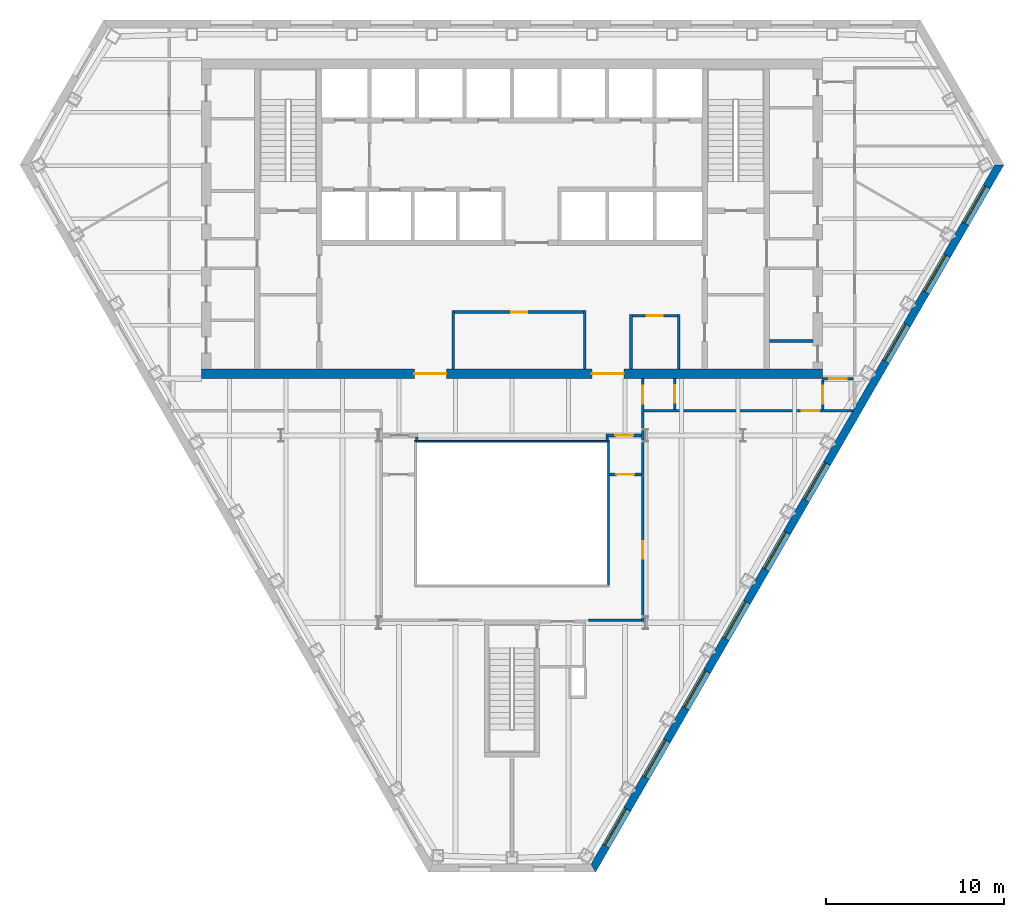
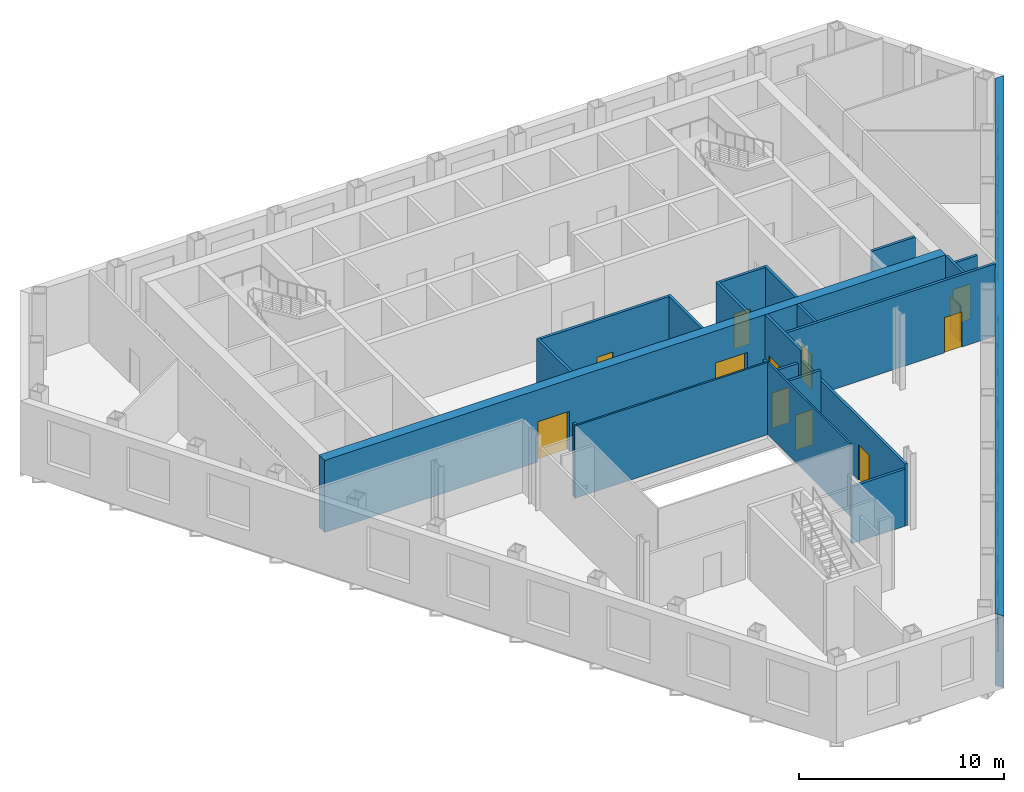
# One storey, part 5 of 11: 22 walls, 12 doors, 9 windows, 21 openings.
"""IFC4 building model written with IfcOpenShell, lengths in metres."""

from ifc_helpers import new_model, si_unit, direction, frame, frame_2d, origin, place, context, subcontext, project, spatial, polyline, rectangle, outline, extrude, material, layer, layer_set, type_object, element, fill, save


model = new_model("IFC4")

# Units and contexts
model_context = context("Model", 3, precision=1e-05, world=origin(), true_north=direction((0.0, 1.0)))
body_context = subcontext(model_context, "Body", "Model", "MODEL_VIEW")
ifc_project = project(units=[si_unit("LENGTHUNIT", "METRE"), si_unit("AREAUNIT", "SQUARE_METRE"), si_unit("VOLUMEUNIT", "CUBIC_METRE"), si_unit("PLANEANGLEUNIT", "RADIAN"), si_unit("MASSUNIT", "GRAM", prefix="KILO")], contexts=[model_context])

# Site, building, storey
site_placement = place(None, origin())
site = spatial("IfcSite", under=ifc_project, at=site_placement, CompositionType="ELEMENT")
building_placement = place(site_placement, origin())
building = spatial("IfcBuilding", under=site, at=building_placement, Name="Njiva Tower", CompositionType="ELEMENT")
storey_placement = place(building_placement, frame((0.0, 0.0, 124.8)))
storey = spatial("IfcBuildingStorey", under=building, at=storey_placement, Name="L26", CompositionType="ELEMENT", Elevation=124.8)

# Walls
ifc_material_1 = material(Name="Blockwork", Category="masonry")
ifc_layer_1 = layer(ifc_material_1, 0.15)
ifc_layer_set_1 = layer_set([ifc_layer_1], Name="Blockwork")
wall_type_1 = type_object("IfcWallType", Name="WT1 Compartment partition 150", PredefinedType="PARTITIONING", material=ifc_layer_set_1)
wall_1_placement = place(storey_placement, frame((14.5, 2.125, 0.0), z_axis=(0.0, 0.0, 1.0), x_axis=(1.0, 0.0, 0.0)))
element("IfcWall", 1, at=wall_1_placement, inside=storey, type_object=wall_type_1, Name="Partition strip E00", PredefinedType="PARTITIONING", context=body_context, shape_type="SweptSolid", body=[
    extrude(rectangle(XDim=2.45, YDim=0.15, at=frame_2d((1.225, 0.0))), origin(), (0.0, 0.0, 1.0), 4.3),
])
for number, where, z_axis, x_axis, name in (
    (2, (-3.3, 0.55, 0.0), (0.0, 0.0, 1.0), (0.0, 1.0, 0.0), "Information office wall west"),
    (3, (4.1, 0.55, 0.0), (0.0, 0.0, 1.0), (0.0, 1.0, 0.0), "Information office wall east"),
):
    element("IfcWall", number, at=place(storey_placement, frame(where, z_axis=z_axis, x_axis=x_axis)), inside=storey, type_object=wall_type_1, Name=name, PredefinedType="PARTITIONING", context=body_context, shape_type="SweptSolid", body=[
        extrude(rectangle(XDim=3.275, YDim=0.15, at=frame_2d((1.6375, 0.0))), origin(), (0.0, 0.0, 1.0), 4.3),
    ])

# Wall, opening, door
wall_2_placement = place(storey_placement, frame((-3.225, 3.75, 0.0), z_axis=(0.0, 0.0, 1.0), x_axis=(1.0, 0.0, 0.0)))
wall_2 = element("IfcWall", 4, at=wall_2_placement, inside=storey, type_object=wall_type_1, Name="Information office wall north", PredefinedType="PARTITIONING", context=body_context, shape_type="SweptSolid", body=[
    extrude(rectangle(XDim=7.25, YDim=0.15, at=frame_2d((3.625, 0.0))), origin(), (0.0, 0.0, 1.0), 4.3),
])
opening_1_placement = place(wall_2_placement, frame((3.175, 0.0, 0.0)))
opening_1 = element("IfcOpeningElement", 5, at=opening_1_placement, cuts=wall_2, Name="Opening S09-D934", PredefinedType="OPENING", context=body_context, shape_type="SweptSolid", body=[
    extrude(rectangle(XDim=0.9, YDim=2.1, at=frame_2d((0.45, 1.05))), frame((0.0, 0.085, 0.0), z_axis=(0.0, -1.0, 0.0), x_axis=(1.0, 0.0, 0.0)), (0.0, 0.0, 1.0), 0.17),
])
ifc_material_2 = material(Name="Steel fire door, painted", Category="steel")
door_type_1 = type_object("IfcDoorType", Name="D6 Fire-rated door 900x2100", OperationType="SINGLE_SWING_LEFT", PredefinedType="DOOR", material=ifc_material_2)
door_1_placement = place(opening_1_placement, origin())
door_1 = element("IfcDoor", 6, at=door_1_placement, inside=storey, type_object=door_type_1, Name="Information office door", OperationType="SINGLE_SWING_LEFT", OverallHeight=2.1, OverallWidth=0.9, PredefinedType="DOOR", context=body_context, shape_type="SweptSolid", body=[
    extrude(rectangle(XDim=0.9, YDim=2.1, at=frame_2d((0.45, 1.05))), frame((0.0, 0.025, 0.0), z_axis=(0.0, -1.0, 0.0), x_axis=(1.0, 0.0, 0.0)), (0.0, 0.0, 1.0), 0.05),
])
fill(opening_1, door_1)

# Walls
for number, where, z_axis, x_axis, name in (
    (7, (6.7, 0.55, 0.0), (0.0, 0.0, 1.0), (0.0, 1.0, 0.0), "Tenant reception wall west"),
    (8, (9.4, 0.55, 0.0), (0.0, 0.0, 1.0), (0.0, 1.0, 0.0), "Tenant reception wall east"),
):
    element("IfcWall", number, at=place(storey_placement, frame(where, z_axis=z_axis, x_axis=x_axis)), inside=storey, type_object=wall_type_1, Name=name, PredefinedType="PARTITIONING", context=body_context, shape_type="SweptSolid", body=[
        extrude(rectangle(XDim=3.075, YDim=0.15, at=frame_2d((1.5375, 0.0))), origin(), (0.0, 0.0, 1.0), 4.3),
    ])

# Wall, opening, door
wall_3_placement = place(storey_placement, frame((6.775, 3.55, 0.0), z_axis=(0.0, 0.0, 1.0), x_axis=(1.0, 0.0, 0.0)))
wall_3 = element("IfcWall", 9, at=wall_3_placement, inside=storey, type_object=wall_type_1, Name="Tenant reception wall north", PredefinedType="PARTITIONING", context=body_context, shape_type="SweptSolid", body=[
    extrude(rectangle(XDim=2.55, YDim=0.15, at=frame_2d((1.275, 0.0))), origin(), (0.0, 0.0, 1.0), 4.3),
])
opening_2_placement = place(wall_3_placement, frame((0.825, 0.0, 0.0)))
opening_2 = element("IfcOpeningElement", 10, at=opening_2_placement, cuts=wall_3, Name="Opening S09-D935", PredefinedType="OPENING", context=body_context, shape_type="SweptSolid", body=[
    extrude(rectangle(XDim=0.9, YDim=2.1, at=frame_2d((0.45, 1.05))), frame((0.0, 0.085, 0.0), z_axis=(0.0, -1.0, 0.0), x_axis=(1.0, 0.0, 0.0)), (0.0, 0.0, 1.0), 0.17),
])
door_2_placement = place(opening_2_placement, origin())
door_2 = element("IfcDoor", 11, at=door_2_placement, inside=storey, type_object=door_type_1, Name="Tenant reception door", OperationType="SINGLE_SWING_RIGHT", OverallHeight=2.1, OverallWidth=0.9, PredefinedType="DOOR", context=body_context, shape_type="SweptSolid", body=[
    extrude(rectangle(XDim=0.9, YDim=2.1, at=frame_2d((0.45, 1.05))), frame((0.0, 0.025, 0.0), z_axis=(0.0, -1.0, 0.0), x_axis=(1.0, 0.0, 0.0)), (0.0, 0.0, 1.0), 0.05),
])
fill(opening_2, door_2)

# Wall, openings, doors
ifc_material_3 = material(Name="Concrete C60/75", Category="concrete")
ifc_layer_2 = layer(ifc_material_3, 0.55)
ifc_layer_set_2 = layer_set([ifc_layer_2], Name="Concrete C60/75")
wall_type_2 = type_object("IfcWallType", Name="WT14 Core wall 550", PredefinedType="SHEAR", material=ifc_layer_set_2)
wall_4_placement = place(storey_placement, frame((-17.5, 0.275, 0.0), z_axis=(0.0, 0.0, 1.0), x_axis=(1.0, 0.0, 0.0)))
wall_4 = element("IfcWall", 12, at=wall_4_placement, inside=storey, type_object=wall_type_2, Name="Core wall south", PredefinedType="SHEAR", context=body_context, shape_type="SweptSolid", body=[
    extrude(rectangle(XDim=35.0, YDim=0.55, at=frame_2d((17.5, 0.0))), origin(), (0.0, 0.0, 1.0), 4.3),
])
opening_3_placement = place(wall_4_placement, frame((12.0, 0.0, 0.0)))
opening_3 = element("IfcOpeningElement", 13, at=opening_3_placement, cuts=wall_4, Name="Opening S09-D937", PredefinedType="OPENING", context=body_context, shape_type="SweptSolid", body=[
    extrude(rectangle(XDim=1.8, YDim=2.4, at=frame_2d((0.9, 1.2))), frame((0.0, 0.285, 0.0), z_axis=(0.0, -1.0, 0.0), x_axis=(1.0, 0.0, 0.0)), (0.0, 0.0, 1.0), 0.57),
])
opening_4_placement = place(wall_4_placement, frame((22.0, 0.0, 0.0)))
opening_4 = element("IfcOpeningElement", 14, at=opening_4_placement, cuts=wall_4, Name="Opening S09-D938", PredefinedType="OPENING", context=body_context, shape_type="SweptSolid", body=[
    extrude(rectangle(XDim=1.8, YDim=2.4, at=frame_2d((0.9, 1.2))), frame((0.0, 0.285, 0.0), z_axis=(0.0, -1.0, 0.0), x_axis=(1.0, 0.0, 0.0)), (0.0, 0.0, 1.0), 0.57),
])
ifc_material_4 = material(Name="Steel and glass door", Category="steel")
door_type_2 = type_object("IfcDoorType", Name="D3 Core entrance door 1800x2400", OperationType="DOUBLE_DOOR_SINGLE_SWING", PredefinedType="DOOR", material=ifc_material_4)
door_3_placement = place(opening_3_placement, origin())
door_3 = element("IfcDoor", 15, at=door_3_placement, inside=storey, type_object=door_type_2, Name="Core entrance door", OperationType="DOUBLE_DOOR_SINGLE_SWING", OverallHeight=2.4, OverallWidth=1.8, PredefinedType="DOOR", context=body_context, shape_type="SweptSolid", body=[
    extrude(rectangle(XDim=1.8, YDim=2.4, at=frame_2d((0.9, 1.2))), frame((0.0, 0.025, 0.0), z_axis=(0.0, -1.0, 0.0), x_axis=(1.0, 0.0, 0.0)), (0.0, 0.0, 1.0), 0.05),
])
fill(opening_3, door_3)
door_4_placement = place(opening_4_placement, origin())
door_4 = element("IfcDoor", 16, at=door_4_placement, inside=storey, type_object=door_type_2, Name="Core entrance door", OperationType="DOUBLE_DOOR_SINGLE_SWING", OverallHeight=2.4, OverallWidth=1.8, PredefinedType="DOOR", context=body_context, shape_type="SweptSolid", body=[
    extrude(rectangle(XDim=1.8, YDim=2.4, at=frame_2d((0.9, 1.2))), frame((0.0, 0.025, 0.0), z_axis=(0.0, -1.0, 0.0), x_axis=(1.0, 0.0, 0.0)), (0.0, 0.0, 1.0), 0.05),
])
fill(opening_4, door_4)

# Walls
ifc_material_5 = material(Name="Gypsum board on steel studs", Category="gypsum")
ifc_layer_3 = layer(ifc_material_5, 0.15)
ifc_layer_set_3 = layer_set([ifc_layer_3], Name="Gypsum board on steel studs")
wall_type_3 = type_object("IfcWallType", Name="WT21 Compartment wall 150", PredefinedType="PARTITIONING", material=ifc_layer_set_3)
wall_5_placement = place(storey_placement, frame((-5.36, -3.48, 0.0), z_axis=(0.0, 0.0, 1.0), x_axis=(0.0, 1.0, 0.0)))
element("IfcWall", 17, at=wall_5_placement, inside=storey, type_object=wall_type_3, Name="Partition S09-P008", PredefinedType="PARTITIONING", context=body_context, shape_type="SweptSolid", body=[
    extrude(rectangle(XDim=0.205, YDim=0.15, at=frame_2d((0.1025, 0.0))), origin(), (0.0, 0.0, 1.0), 4.3),
])
wall_6_placement = place(storey_placement, frame((4.3, -13.6, 0.0), z_axis=(0.0, 0.0, 1.0), x_axis=(1.0, 0.0, 0.0)))
element("IfcWall", 18, at=wall_6_placement, inside=storey, type_object=wall_type_3, Name="Partition S09-P010", PredefinedType="PARTITIONING", context=body_context, shape_type="SweptSolid", body=[
    extrude(rectangle(XDim=2.985, YDim=0.15, at=frame_2d((1.4925, 0.0))), origin(), (0.0, 0.0, 1.0), 3.39),
])

# Wall, opening, door
wall_7_placement = place(storey_placement, frame((5.285, -3.2, 0.0), z_axis=(0.0, 0.0, 1.0), x_axis=(1.0, 0.0, 0.0)))
wall_7 = element("IfcWall", 19, at=wall_7_placement, inside=storey, type_object=wall_type_3, Name="Partition S09-P011", PredefinedType="PARTITIONING", context=body_context, shape_type="SweptSolid", body=[
    extrude(rectangle(XDim=2.0, YDim=0.15, at=frame_2d((1.0, 0.0))), origin(), (0.0, 0.0, 1.0), 3.39),
])
opening_5_placement = place(wall_7_placement, frame((0.538, 0.0, 0.0)))
opening_5 = element("IfcOpeningElement", 20, at=opening_5_placement, cuts=wall_7, Name="Opening S09-D006", PredefinedType="OPENING", context=body_context, shape_type="SweptSolid", body=[
    extrude(rectangle(XDim=1.0, YDim=2.1, at=frame_2d((0.5, 1.05))), frame((0.0, 0.085, 0.0), z_axis=(0.0, -1.0, 0.0), x_axis=(1.0, 0.0, 0.0)), (0.0, 0.0, 1.0), 0.17),
])
ifc_material_6 = material(Name="Steel fire door set", Category="steel")
door_type_3 = type_object("IfcDoorType", Name="D37 Fire door 1000x2100", OperationType="SINGLE_SWING_LEFT", PredefinedType="DOOR", material=ifc_material_6)
door_5_placement = place(opening_5_placement, origin())
door_5 = element("IfcDoor", 21, at=door_5_placement, inside=storey, type_object=door_type_3, Name="Door S09-D006", OperationType="SINGLE_SWING_LEFT", OverallHeight=2.1, OverallWidth=1.0, PredefinedType="DOOR", context=body_context, shape_type="SweptSolid", body=[
    extrude(rectangle(XDim=1.0, YDim=2.1, at=frame_2d((0.5, 1.05))), frame((0.0, 0.025, 0.0), z_axis=(0.0, -1.0, 0.0), x_axis=(1.0, 0.0, 0.0)), (0.0, 0.0, 1.0), 0.05),
])
fill(opening_5, door_5)

# Wall
wall_8_placement = place(storey_placement, frame((5.36, -3.48, 0.0), z_axis=(0.0, 0.0, 1.0), x_axis=(0.0, 1.0, 0.0)))
element("IfcWall", 22, at=wall_8_placement, inside=storey, type_object=wall_type_3, Name="Partition S09-P012", PredefinedType="PARTITIONING", context=body_context, shape_type="SweptSolid", body=[
    extrude(rectangle(XDim=0.205, YDim=0.15, at=frame_2d((0.1025, 0.0))), origin(), (0.0, 0.0, 1.0), 4.3),
])

# Wall, opening, door
wall_9_placement = place(storey_placement, frame((5.48, -5.4, 0.0), z_axis=(0.0, 0.0, 1.0), x_axis=(1.0, 0.0, 0.0)))
wall_9 = element("IfcWall", 23, at=wall_9_placement, inside=storey, type_object=wall_type_3, Name="Partition S09-P013", PredefinedType="PARTITIONING", context=body_context, shape_type="SweptSolid", body=[
    extrude(rectangle(XDim=1.805, YDim=0.15, at=frame_2d((0.9025, 0.0))), origin(), (0.0, 0.0, 1.0), 4.3),
])
opening_6_placement = place(wall_9_placement, frame((0.402, 0.0, 0.0)))
opening_6 = element("IfcOpeningElement", 24, at=opening_6_placement, cuts=wall_9, Name="Opening S09-D007", PredefinedType="OPENING", context=body_context, shape_type="SweptSolid", body=[
    extrude(rectangle(XDim=1.0, YDim=2.1, at=frame_2d((0.5, 1.05))), frame((0.0, 0.085, 0.0), z_axis=(0.0, -1.0, 0.0), x_axis=(1.0, 0.0, 0.0)), (0.0, 0.0, 1.0), 0.17),
])
door_6_placement = place(opening_6_placement, origin())
door_6 = element("IfcDoor", 25, at=door_6_placement, inside=storey, type_object=door_type_3, Name="Door S09-D007", OperationType="SINGLE_SWING_RIGHT", OverallHeight=2.1, OverallWidth=1.0, PredefinedType="DOOR", context=body_context, shape_type="SweptSolid", body=[
    extrude(rectangle(XDim=1.0, YDim=2.1, at=frame_2d((0.5, 1.05))), frame((0.0, 0.025, 0.0), z_axis=(0.0, -1.0, 0.0), x_axis=(1.0, 0.0, 0.0)), (0.0, 0.0, 1.0), 0.05),
])
fill(opening_6, door_6)

wall_10_placement = place(storey_placement, frame((7.36, -13.675, 0.0), z_axis=(0.0, 0.0, 1.0), x_axis=(0.0, 1.0, 0.0)))
wall_10 = element("IfcWall", 26, at=wall_10_placement, inside=storey, type_object=wall_type_3, Name="Partition S09-P014", PredefinedType="PARTITIONING", context=body_context, shape_type="SweptSolid", body=[
    extrude(rectangle(XDim=10.167, YDim=0.15, at=frame_2d((5.0835, 0.0))), origin(), (0.0, 0.0, 1.0), 3.7),
])
opening_7_placement = place(wall_10_placement, frame((3.531, 0.0, 0.0)))
opening_7 = element("IfcOpeningElement", 27, at=opening_7_placement, cuts=wall_10, Name="Opening S09-D008", PredefinedType="OPENING", context=body_context, shape_type="SweptSolid", body=[
    extrude(rectangle(XDim=1.0, YDim=2.1, at=frame_2d((0.5, 1.05))), frame((0.0, 0.085, 0.0), z_axis=(0.0, -1.0, 0.0), x_axis=(1.0, 0.0, 0.0)), (0.0, 0.0, 1.0), 0.17),
])
door_7_placement = place(opening_7_placement, origin())
door_7 = element("IfcDoor", 28, at=door_7_placement, inside=storey, type_object=door_type_3, Name="Door S09-D008", OperationType="SINGLE_SWING_RIGHT", OverallHeight=2.1, OverallWidth=1.0, PredefinedType="DOOR", context=body_context, shape_type="SweptSolid", body=[
    extrude(rectangle(XDim=1.0, YDim=2.1, at=frame_2d((0.5, 1.05))), frame((0.0, 0.025, 0.0), z_axis=(0.0, -1.0, 0.0), x_axis=(1.0, 0.0, 0.0)), (0.0, 0.0, 1.0), 0.05),
])
fill(opening_7, door_7)

wall_11_placement = place(storey_placement, frame((7.36, -3.508, 0.0), z_axis=(0.0, 0.0, 1.0), x_axis=(0.0, 1.0, 0.0)))
wall_11 = element("IfcWall", 29, at=wall_11_placement, inside=storey, type_object=wall_type_3, Name="Partition S09-P014A", PredefinedType="PARTITIONING", context=body_context, shape_type="SweptSolid", body=[
    extrude(rectangle(XDim=3.508, YDim=0.15, at=frame_2d((1.754, 0.0))), origin(), (0.0, 0.0, 1.0), 4.3),
])
opening_8_placement = place(wall_11_placement, frame((2.108, 0.0, 0.0)))
opening_8 = element("IfcOpeningElement", 30, at=opening_8_placement, cuts=wall_11, Name="Opening S09-D009", PredefinedType="OPENING", context=body_context, shape_type="SweptSolid", body=[
    extrude(rectangle(XDim=1.0, YDim=2.1, at=frame_2d((0.5, 1.05))), frame((0.0, 0.085, 0.0), z_axis=(0.0, -1.0, 0.0), x_axis=(1.0, 0.0, 0.0)), (0.0, 0.0, 1.0), 0.17),
])
door_8_placement = place(opening_8_placement, origin())
door_8 = element("IfcDoor", 31, at=door_8_placement, inside=storey, type_object=door_type_3, Name="Door S09-D009", OperationType="SINGLE_SWING_RIGHT", OverallHeight=2.1, OverallWidth=1.0, PredefinedType="DOOR", context=body_context, shape_type="SweptSolid", body=[
    extrude(rectangle(XDim=1.0, YDim=2.1, at=frame_2d((0.5, 1.05))), frame((0.0, 0.025, 0.0), z_axis=(0.0, -1.0, 0.0), x_axis=(1.0, 0.0, 0.0)), (0.0, 0.0, 1.0), 0.05),
])
fill(opening_8, door_8)

wall_12_placement = place(storey_placement, frame((7.435, -1.8, 0.0), z_axis=(0.0, 0.0, 1.0), x_axis=(1.0, 0.0, 0.0)))
wall_12 = element("IfcWall", 32, at=wall_12_placement, inside=storey, type_object=wall_type_3, Name="Partition S09-P015", PredefinedType="PARTITIONING", context=body_context, shape_type="SweptSolid", body=[
    extrude(rectangle(XDim=11.763, YDim=0.15, at=frame_2d((5.8815, 0.0))), origin(), (0.0, 0.0, 1.0), 4.3),
])
opening_9_placement = place(wall_12_placement, frame((8.877, 0.0, 0.0)))
opening_9 = element("IfcOpeningElement", 33, at=opening_9_placement, cuts=wall_12, Name="Opening S09-D010", PredefinedType="OPENING", context=body_context, shape_type="SweptSolid", body=[
    extrude(rectangle(XDim=1.0, YDim=2.1, at=frame_2d((0.5, 1.05))), frame((0.0, 0.085, 0.0), z_axis=(0.0, -1.0, 0.0), x_axis=(1.0, 0.0, 0.0)), (0.0, 0.0, 1.0), 0.17),
])
door_9_placement = place(opening_9_placement, origin())
door_9 = element("IfcDoor", 34, at=door_9_placement, inside=storey, type_object=door_type_3, Name="Door S09-D010", OperationType="SINGLE_SWING_LEFT", OverallHeight=2.1, OverallWidth=1.0, PredefinedType="DOOR", context=body_context, shape_type="SweptSolid", body=[
    extrude(rectangle(XDim=1.0, YDim=2.1, at=frame_2d((0.5, 1.05))), frame((0.0, 0.025, 0.0), z_axis=(0.0, -1.0, 0.0), x_axis=(1.0, 0.0, 0.0)), (0.0, 0.0, 1.0), 0.05),
])
fill(opening_9, door_9)

wall_13_placement = place(storey_placement, frame((9.16, -1.725, 0.0), z_axis=(0.0, 0.0, 1.0), x_axis=(0.0, 1.0, 0.0)))
wall_13 = element("IfcWall", 35, at=wall_13_placement, inside=storey, type_object=wall_type_3, Name="Partition S09-P016", PredefinedType="PARTITIONING", context=body_context, shape_type="SweptSolid", body=[
    extrude(rectangle(XDim=1.725, YDim=0.15, at=frame_2d((0.8625, 0.0))), origin(), (0.0, 0.0, 1.0), 4.3),
])
opening_10_placement = place(wall_13_placement, frame((0.363, 0.0, 0.0)))
opening_10 = element("IfcOpeningElement", 36, at=opening_10_placement, cuts=wall_13, Name="Opening S09-D011", PredefinedType="OPENING", context=body_context, shape_type="SweptSolid", body=[
    extrude(rectangle(XDim=1.0, YDim=2.1, at=frame_2d((0.5, 1.05))), frame((0.0, 0.085, 0.0), z_axis=(0.0, -1.0, 0.0), x_axis=(1.0, 0.0, 0.0)), (0.0, 0.0, 1.0), 0.17),
])
door_10_placement = place(opening_10_placement, origin())
door_10 = element("IfcDoor", 37, at=door_10_placement, inside=storey, type_object=door_type_3, Name="Door S09-D011", OperationType="SINGLE_SWING_RIGHT", OverallHeight=2.1, OverallWidth=1.0, PredefinedType="DOOR", context=body_context, shape_type="SweptSolid", body=[
    extrude(rectangle(XDim=1.0, YDim=2.1, at=frame_2d((0.5, 1.05))), frame((0.0, 0.025, 0.0), z_axis=(0.0, -1.0, 0.0), x_axis=(1.0, 0.0, 0.0)), (0.0, 0.0, 1.0), 0.05),
])
fill(opening_10, door_10)

wall_14_placement = place(storey_placement, frame((17.5, -1.725, 0.0), z_axis=(0.0, 0.0, 1.0), x_axis=(0.0, 1.0, 0.0)))
wall_14 = element("IfcWall", 38, at=wall_14_placement, inside=storey, type_object=wall_type_3, Name="Partition S09-P017", PredefinedType="PARTITIONING", context=body_context, shape_type="SweptSolid", body=[
    extrude(rectangle(XDim=1.65, YDim=0.15, at=frame_2d((0.825, 0.0))), origin(), (0.0, 0.0, 1.0), 4.3),
])
opening_11_placement = place(wall_14_placement, frame((0.325, 0.0, 0.0)))
opening_11 = element("IfcOpeningElement", 39, at=opening_11_placement, cuts=wall_14, Name="Opening S09-D012", PredefinedType="OPENING", context=body_context, shape_type="SweptSolid", body=[
    extrude(rectangle(XDim=1.0, YDim=2.1, at=frame_2d((0.5, 1.05))), frame((0.0, 0.085, 0.0), z_axis=(0.0, -1.0, 0.0), x_axis=(1.0, 0.0, 0.0)), (0.0, 0.0, 1.0), 0.17),
])
door_11_placement = place(opening_11_placement, origin())
door_11 = element("IfcDoor", 40, at=door_11_placement, inside=storey, type_object=door_type_3, Name="Door S09-D012", OperationType="SINGLE_SWING_RIGHT", OverallHeight=2.1, OverallWidth=1.0, PredefinedType="DOOR", context=body_context, shape_type="SweptSolid", body=[
    extrude(rectangle(XDim=1.0, YDim=2.1, at=frame_2d((0.5, 1.05))), frame((0.0, 0.025, 0.0), z_axis=(0.0, -1.0, 0.0), x_axis=(1.0, 0.0, 0.0)), (0.0, 0.0, 1.0), 0.05),
])
fill(opening_11, door_11)

wall_15_placement = place(storey_placement, frame((17.5, 0.0, 0.0), z_axis=(0.0, 0.0, 1.0), x_axis=(1.0, 0.0, 0.0)))
wall_15 = element("IfcWall", 41, at=wall_15_placement, inside=storey, type_object=wall_type_3, Name="Partition S09-P018", PredefinedType="PARTITIONING", context=body_context, shape_type="SweptSolid", body=[
    extrude(rectangle(XDim=1.725, YDim=0.15, at=frame_2d((0.8625, 0.0))), origin(), (0.0, 0.0, 1.0), 3.7),
])
opening_12_placement = place(wall_15_placement, frame((0.363, 0.0, 0.0)))
opening_12 = element("IfcOpeningElement", 42, at=opening_12_placement, cuts=wall_15, Name="Opening S09-D013", PredefinedType="OPENING", context=body_context, shape_type="SweptSolid", body=[
    extrude(rectangle(XDim=1.0, YDim=2.1, at=frame_2d((0.5, 1.05))), frame((0.0, 0.085, 0.0), z_axis=(0.0, -1.0, 0.0), x_axis=(1.0, 0.0, 0.0)), (0.0, 0.0, 1.0), 0.17),
])
door_12_placement = place(opening_12_placement, origin())
door_12 = element("IfcDoor", 43, at=door_12_placement, inside=storey, type_object=door_type_3, Name="Door S09-D013", OperationType="SINGLE_SWING_LEFT", OverallHeight=2.1, OverallWidth=1.0, PredefinedType="DOOR", context=body_context, shape_type="SweptSolid", body=[
    extrude(rectangle(XDim=1.0, YDim=2.1, at=frame_2d((0.5, 1.05))), frame((0.0, 0.025, 0.0), z_axis=(0.0, -1.0, 0.0), x_axis=(1.0, 0.0, 0.0)), (0.0, 0.0, 1.0), 0.05),
])
fill(opening_12, door_12)

# Wall, openings, windows
ifc_material_7 = material(Name="Brick masonry", Category="masonry")
ifc_layer_4 = layer(ifc_material_7, 0.45)
ifc_layer_set_4 = layer_set([ifc_layer_4], Name="Brick masonry")
wall_type_4 = type_object("IfcWallType", Name="WT90 Brick pier and spandrel wall 450", PredefinedType="SOLIDWALL", material=ifc_layer_set_4)
wall_16_placement = place(storey_placement, frame((4.5801, -27.5701, -0.18), z_axis=(0.0, 0.0, 1.0), x_axis=(0.500000711659, 0.866024992908, 0.0)))
wall_16 = element("IfcWall", 44, at=wall_16_placement, inside=storey, type_object=wall_type_4, Name="Facade wall SE", PredefinedType="SOLIDWALL", context=body_context, shape_type="SweptSolid", body=[
    extrude(outline(polyline([(-0.1299, -0.225), (45.87, -0.225), (45.6102, 0.225), (0.1299, 0.225), (-0.1299, -0.225)])), origin(), (0.0, 0.0, 1.0), 4.28),
])
opening_13_placement = place(wall_16_placement, frame((1.4242, 0.0, 1.08)))
opening_13 = element("IfcOpeningElement", 45, at=opening_13_placement, cuts=wall_16, Name="Opening S09-W23", PredefinedType="OPENING", context=body_context, shape_type="SweptSolid", body=[
    extrude(rectangle(XDim=2.4, YDim=2.6, at=frame_2d((1.2, 1.3))), frame((0.0, 0.235, 0.0), z_axis=(0.0, -1.0, 0.0), x_axis=(1.0, 0.0, 0.0)), (0.0, 0.0, 1.0), 0.47),
])
opening_14_placement = place(wall_16_placement, frame((5.8934, 0.0, 1.08)))
opening_14 = element("IfcOpeningElement", 46, at=opening_14_placement, cuts=wall_16, Name="Opening S09-W24", PredefinedType="OPENING", context=body_context, shape_type="SweptSolid", body=[
    extrude(rectangle(XDim=2.4, YDim=2.6, at=frame_2d((1.2, 1.3))), frame((0.0, 0.235, 0.0), z_axis=(0.0, -1.0, 0.0), x_axis=(1.0, 0.0, 0.0)), (0.0, 0.0, 1.0), 0.47),
])
opening_15_placement = place(wall_16_placement, frame((10.401, 0.0, 1.08)))
opening_15 = element("IfcOpeningElement", 47, at=opening_15_placement, cuts=wall_16, Name="Opening S09-W25", PredefinedType="OPENING", context=body_context, shape_type="SweptSolid", body=[
    extrude(rectangle(XDim=2.4, YDim=2.6, at=frame_2d((1.2, 1.3))), frame((0.0, 0.235, 0.0), z_axis=(0.0, -1.0, 0.0), x_axis=(1.0, 0.0, 0.0)), (0.0, 0.0, 1.0), 0.47),
])
opening_16_placement = place(wall_16_placement, frame((14.9087, 0.0, 1.08)))
opening_16 = element("IfcOpeningElement", 48, at=opening_16_placement, cuts=wall_16, Name="Opening S09-W26", PredefinedType="OPENING", context=body_context, shape_type="SweptSolid", body=[
    extrude(rectangle(XDim=2.4, YDim=2.6, at=frame_2d((1.2, 1.3))), frame((0.0, 0.235, 0.0), z_axis=(0.0, -1.0, 0.0), x_axis=(1.0, 0.0, 0.0)), (0.0, 0.0, 1.0), 0.47),
])
opening_17_placement = place(wall_16_placement, frame((19.4163, 0.0, 1.08)))
opening_17 = element("IfcOpeningElement", 49, at=opening_17_placement, cuts=wall_16, Name="Opening S09-W27", PredefinedType="OPENING", context=body_context, shape_type="SweptSolid", body=[
    extrude(rectangle(XDim=2.4, YDim=2.6, at=frame_2d((1.2, 1.3))), frame((0.0, 0.235, 0.0), z_axis=(0.0, -1.0, 0.0), x_axis=(1.0, 0.0, 0.0)), (0.0, 0.0, 1.0), 0.47),
])
opening_18_placement = place(wall_16_placement, frame((23.9239, 0.0, 1.08)))
opening_18 = element("IfcOpeningElement", 50, at=opening_18_placement, cuts=wall_16, Name="Opening S09-W28", PredefinedType="OPENING", context=body_context, shape_type="SweptSolid", body=[
    extrude(rectangle(XDim=2.4, YDim=2.6, at=frame_2d((1.2, 1.3))), frame((0.0, 0.235, 0.0), z_axis=(0.0, -1.0, 0.0), x_axis=(1.0, 0.0, 0.0)), (0.0, 0.0, 1.0), 0.47),
])
opening_19_placement = place(wall_16_placement, frame((32.9391, 0.0, 1.08)))
opening_19 = element("IfcOpeningElement", 51, at=opening_19_placement, cuts=wall_16, Name="Opening S09-W29", PredefinedType="OPENING", context=body_context, shape_type="SweptSolid", body=[
    extrude(rectangle(XDim=2.4, YDim=2.6, at=frame_2d((1.2, 1.3))), frame((0.0, 0.235, 0.0), z_axis=(0.0, -1.0, 0.0), x_axis=(1.0, 0.0, 0.0)), (0.0, 0.0, 1.0), 0.47),
])
opening_20_placement = place(wall_16_placement, frame((37.4468, 0.0, 1.08)))
opening_20 = element("IfcOpeningElement", 52, at=opening_20_placement, cuts=wall_16, Name="Opening S09-W30", PredefinedType="OPENING", context=body_context, shape_type="SweptSolid", body=[
    extrude(rectangle(XDim=2.4, YDim=2.6, at=frame_2d((1.2, 1.3))), frame((0.0, 0.235, 0.0), z_axis=(0.0, -1.0, 0.0), x_axis=(1.0, 0.0, 0.0)), (0.0, 0.0, 1.0), 0.47),
])
opening_21_placement = place(wall_16_placement, frame((41.916, 0.0, 1.08)))
opening_21 = element("IfcOpeningElement", 53, at=opening_21_placement, cuts=wall_16, Name="Opening S09-W31", PredefinedType="OPENING", context=body_context, shape_type="SweptSolid", body=[
    extrude(rectangle(XDim=2.4, YDim=2.6, at=frame_2d((1.2, 1.3))), frame((0.0, 0.235, 0.0), z_axis=(0.0, -1.0, 0.0), x_axis=(1.0, 0.0, 0.0)), (0.0, 0.0, 1.0), 0.47),
])
ifc_material_8 = material(Name="Clear glazing in aluminium frame", Category="aluminium")
window_type = type_object("IfcWindowType", Name="W92 Deep-set window 2400x2600", PartitioningType="SINGLE_PANEL", PredefinedType="WINDOW", material=ifc_material_8)
window_1_placement = place(opening_13_placement, origin())
window_1 = element("IfcWindow", 54, at=window_1_placement, inside=storey, type_object=window_type, Name="Window", OverallHeight=2.6, OverallWidth=2.4, PartitioningType="SINGLE_PANEL", PredefinedType="WINDOW", context=body_context, shape_type="SweptSolid", body=[
    extrude(rectangle(XDim=2.4, YDim=2.6, at=frame_2d((1.2, 1.3))), frame((0.0, 0.105, 0.0), z_axis=(0.0, -1.0, 0.0), x_axis=(1.0, 0.0, 0.0)), (0.0, 0.0, 1.0), 0.06),
])
fill(opening_13, window_1)
window_2_placement = place(opening_14_placement, origin())
window_2 = element("IfcWindow", 55, at=window_2_placement, inside=storey, type_object=window_type, Name="Window", OverallHeight=2.6, OverallWidth=2.4, PartitioningType="SINGLE_PANEL", PredefinedType="WINDOW", context=body_context, shape_type="SweptSolid", body=[
    extrude(rectangle(XDim=2.4, YDim=2.6, at=frame_2d((1.2, 1.3))), frame((0.0, 0.105, 0.0), z_axis=(0.0, -1.0, 0.0), x_axis=(1.0, 0.0, 0.0)), (0.0, 0.0, 1.0), 0.06),
])
fill(opening_14, window_2)
window_3_placement = place(opening_15_placement, origin())
window_3 = element("IfcWindow", 56, at=window_3_placement, inside=storey, type_object=window_type, Name="Window", OverallHeight=2.6, OverallWidth=2.4, PartitioningType="SINGLE_PANEL", PredefinedType="WINDOW", context=body_context, shape_type="SweptSolid", body=[
    extrude(rectangle(XDim=2.4, YDim=2.6, at=frame_2d((1.2, 1.3))), frame((0.0, 0.105, 0.0), z_axis=(0.0, -1.0, 0.0), x_axis=(1.0, 0.0, 0.0)), (0.0, 0.0, 1.0), 0.06),
])
fill(opening_15, window_3)
window_4_placement = place(opening_16_placement, origin())
window_4 = element("IfcWindow", 57, at=window_4_placement, inside=storey, type_object=window_type, Name="Window", OverallHeight=2.6, OverallWidth=2.4, PartitioningType="SINGLE_PANEL", PredefinedType="WINDOW", context=body_context, shape_type="SweptSolid", body=[
    extrude(rectangle(XDim=2.4, YDim=2.6, at=frame_2d((1.2, 1.3))), frame((0.0, 0.105, 0.0), z_axis=(0.0, -1.0, 0.0), x_axis=(1.0, 0.0, 0.0)), (0.0, 0.0, 1.0), 0.06),
])
fill(opening_16, window_4)
window_5_placement = place(opening_17_placement, origin())
window_5 = element("IfcWindow", 58, at=window_5_placement, inside=storey, type_object=window_type, Name="Window", OverallHeight=2.6, OverallWidth=2.4, PartitioningType="SINGLE_PANEL", PredefinedType="WINDOW", context=body_context, shape_type="SweptSolid", body=[
    extrude(rectangle(XDim=2.4, YDim=2.6, at=frame_2d((1.2, 1.3))), frame((0.0, 0.105, 0.0), z_axis=(0.0, -1.0, 0.0), x_axis=(1.0, 0.0, 0.0)), (0.0, 0.0, 1.0), 0.06),
])
fill(opening_17, window_5)
window_6_placement = place(opening_18_placement, origin())
window_6 = element("IfcWindow", 59, at=window_6_placement, inside=storey, type_object=window_type, Name="Window", OverallHeight=2.6, OverallWidth=2.4, PartitioningType="SINGLE_PANEL", PredefinedType="WINDOW", context=body_context, shape_type="SweptSolid", body=[
    extrude(rectangle(XDim=2.4, YDim=2.6, at=frame_2d((1.2, 1.3))), frame((0.0, 0.105, 0.0), z_axis=(0.0, -1.0, 0.0), x_axis=(1.0, 0.0, 0.0)), (0.0, 0.0, 1.0), 0.06),
])
fill(opening_18, window_6)
window_7_placement = place(opening_19_placement, origin())
window_7 = element("IfcWindow", 60, at=window_7_placement, inside=storey, type_object=window_type, Name="Window", OverallHeight=2.6, OverallWidth=2.4, PartitioningType="SINGLE_PANEL", PredefinedType="WINDOW", context=body_context, shape_type="SweptSolid", body=[
    extrude(rectangle(XDim=2.4, YDim=2.6, at=frame_2d((1.2, 1.3))), frame((0.0, 0.105, 0.0), z_axis=(0.0, -1.0, 0.0), x_axis=(1.0, 0.0, 0.0)), (0.0, 0.0, 1.0), 0.06),
])
fill(opening_19, window_7)
window_8_placement = place(opening_20_placement, origin())
window_8 = element("IfcWindow", 61, at=window_8_placement, inside=storey, type_object=window_type, Name="Window", OverallHeight=2.6, OverallWidth=2.4, PartitioningType="SINGLE_PANEL", PredefinedType="WINDOW", context=body_context, shape_type="SweptSolid", body=[
    extrude(rectangle(XDim=2.4, YDim=2.6, at=frame_2d((1.2, 1.3))), frame((0.0, 0.105, 0.0), z_axis=(0.0, -1.0, 0.0), x_axis=(1.0, 0.0, 0.0)), (0.0, 0.0, 1.0), 0.06),
])
fill(opening_20, window_8)
window_9_placement = place(opening_21_placement, origin())
window_9 = element("IfcWindow", 62, at=window_9_placement, inside=storey, type_object=window_type, Name="Window", OverallHeight=2.6, OverallWidth=2.4, PartitioningType="SINGLE_PANEL", PredefinedType="WINDOW", context=body_context, shape_type="SweptSolid", body=[
    extrude(rectangle(XDim=2.4, YDim=2.6, at=frame_2d((1.2, 1.3))), frame((0.0, 0.105, 0.0), z_axis=(0.0, -1.0, 0.0), x_axis=(1.0, 0.0, 0.0)), (0.0, 0.0, 1.0), 0.06),
])
fill(opening_21, window_9)

# Walls
ifc_material_9 = material(Name="Fire-resisting glazing EI 90", Category="glass")
ifc_layer_5 = layer(ifc_material_9, 0.1)
ifc_layer_set_5 = layer_set([ifc_layer_5], Name="Fire-resisting glazing EI 90")
wall_type_5 = type_object("IfcWallType", Name="WT95 Fire-resisting glazed screen EI 90", PredefinedType="PARTITIONING", material=ifc_layer_set_5)
wall_17_placement = place(storey_placement, frame((5.43, -11.62, 0.0), z_axis=(0.0, 0.0, 1.0), x_axis=(0.0, 1.0, 0.0)))
element("IfcWall", 63, at=wall_17_placement, inside=storey, type_object=wall_type_5, Name="Atrium fire screen east", PredefinedType="PARTITIONING", context=body_context, shape_type="SweptSolid", body=[
    extrude(rectangle(XDim=8.04, YDim=0.1, at=frame_2d((4.02, 0.0))), origin(), (0.0, 0.0, 1.0), 4.3),
])
wall_18_placement = place(storey_placement, frame((5.48, -3.53, 0.0), z_axis=(0.0, 0.0, 1.0), x_axis=(-1.0, 0.0, 0.0)))
element("IfcWall", 64, at=wall_18_placement, inside=storey, type_object=wall_type_5, Name="Atrium fire screen north", PredefinedType="PARTITIONING", context=body_context, shape_type="SweptSolid", body=[
    extrude(rectangle(XDim=10.96, YDim=0.1, at=frame_2d((5.48, 0.0))), origin(), (0.0, 0.0, 1.0), 4.3),
])

save(model, "model.ifc")
